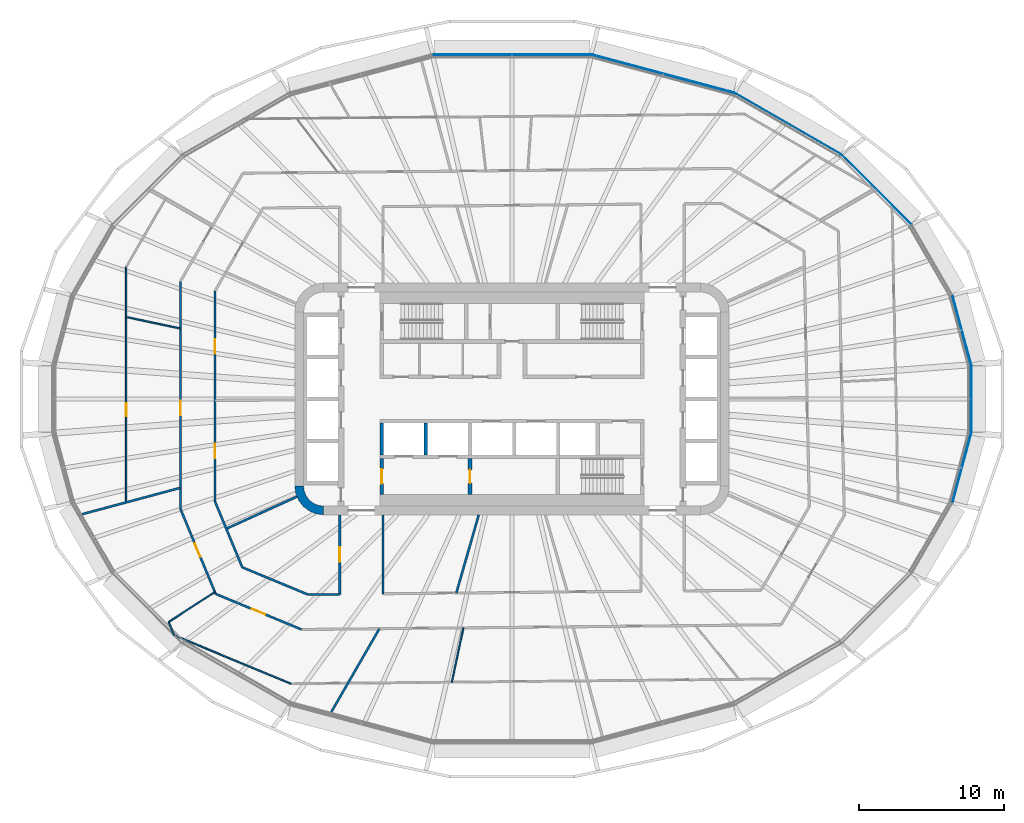
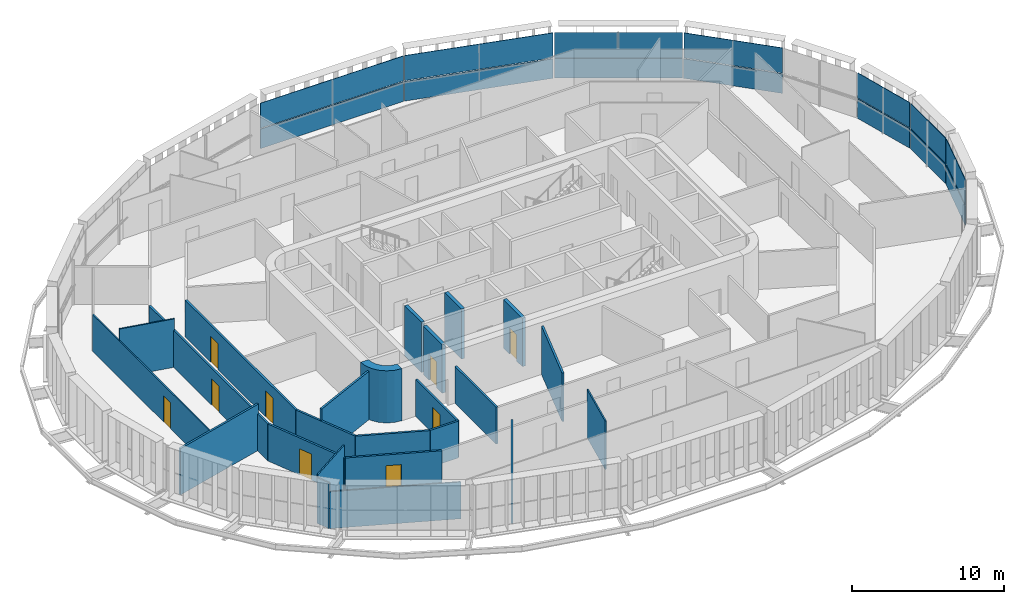
# One storey, part 14 of 26: 24 walls, 14 plates, 9 doors, 9 openings, 7 elements without a shape of their own.
"""IFC4 building model written with IfcOpenShell, lengths in metres."""

from ifc_helpers import new_model, si_unit, direction, frame, frame_2d, origin, place, context, subcontext, project, spatial, polyline, rectangle, outline, extrude, material, layer, layer_set, type_object, element, fill, aggregate, save


model = new_model("IFC4")

# Units and contexts
model_context = context("Model", 3, precision=1e-05, world=origin(), true_north=direction((0.0, 1.0)))
body_context = subcontext(model_context, "Body", "Model", "MODEL_VIEW")
ifc_project = project(units=[si_unit("LENGTHUNIT", "METRE"), si_unit("AREAUNIT", "SQUARE_METRE"), si_unit("VOLUMEUNIT", "CUBIC_METRE"), si_unit("PLANEANGLEUNIT", "RADIAN"), si_unit("MASSUNIT", "GRAM", prefix="KILO")], contexts=[model_context])

# Site, building, storey
site_placement = place(None, origin())
site = spatial("IfcSite", under=ifc_project, at=site_placement, CompositionType="ELEMENT")
building_placement = place(site_placement, origin())
building = spatial("IfcBuilding", under=site, at=building_placement, Name="Sahrelin Media Tower", CompositionType="ELEMENT")
storey_placement = place(building_placement, frame((0.0, 0.0, 88.199951171875)))
storey = spatial("IfcBuildingStorey", under=building, at=storey_placement, Name="L16", CompositionType="ELEMENT", Elevation=88.199951171875)

# Curtain wall, plate
ifc_material_1 = material(Name="Champagne anodised aluminium 6063-T6", Category="aluminium")
ifc_layer_1 = layer(ifc_material_1, 0.14990234375)
ifc_layer_set_1 = layer_set([ifc_layer_1], Name="Tower ribbon curtain wall")
curtain_wall_type = type_object("IfcCurtainWallType", Name="Tower ribbon curtain wall", PredefinedType="NOTDEFINED", material=ifc_layer_set_1)
curtain_wall_1_placement = place(storey_placement, frame((31.711181640625, 0.0, 0.0), z_axis=(0.0, 0.0, 1.0), x_axis=(1.0, 0.0, 0.0)))
curtain_wall_1 = element("IfcCurtainWall", 1, at=curtain_wall_1_placement, inside=storey, type_object=curtain_wall_type, Name="L16:CW:L16-00", PredefinedType="NOTDEFINED")
ifc_material_2 = material(Name="Clear low-iron glazing", Category="glass")
ifc_layer_2 = layer(ifc_material_2, 0.0400390625)
ifc_layer_set_2 = layer_set([ifc_layer_2], Name="Glazing panel 40 mm CW1")
plate_type_1 = type_object("IfcPlateType", Name="Glazing panel 40 mm CW1", PredefinedType="CURTAIN_PANEL", material=ifc_layer_set_2)
plate_1_placement = place(storey_placement, frame((31.731201171875, -2.316650390625, 1.630126953125), z_axis=(1.0, 0.0, 0.0), x_axis=(0.0, 1.0, 0.0)))
plate_1 = element("IfcPlate", 2, at=plate_1_placement, type_object=plate_type_1, Name="L16:CWP2:L16-00", PredefinedType="CURTAIN_PANEL", context=body_context, shape_type="SweptSolid", body=[
    extrude(outline(polyline([(0.0, 0.0), (4.63330078125, 0.0), (4.63330078125, 2.0185546875), (0.0, 2.0185546875), (0.0, 0.0)])), origin(), (0.0, 0.0, -1.0), 0.0400390625),
])

curtain_wall_2_placement = place(storey_placement, frame((31.07080078125, 4.757568359375, 0.0), z_axis=(0.0, 0.0, 1.0), x_axis=(1.0, 0.0, 0.0)))
curtain_wall_2 = element("IfcCurtainWall", 3, at=curtain_wall_2_placement, inside=storey, type_object=curtain_wall_type, Name="L16:CW:L16-01", PredefinedType="NOTDEFINED")
plate_2_placement = place(storey_placement, frame((31.7177734375, 2.420166015625, 1.630126953125), z_axis=(0.965928505831, 0.258809044708, 0.0), x_axis=(-0.258809044708, 0.965928505831, 0.0)))
plate_2 = element("IfcPlate", 4, at=plate_2_placement, type_object=plate_type_1, Name="L16:CWP2:L16-01", PredefinedType="CURTAIN_PANEL", context=body_context, shape_type="SweptSolid", body=[
    extrude(outline(polyline([(0.0, 0.0), (4.8505859375, 0.0), (4.8505859375, 2.0185546875), (0.0, 2.0185546875), (0.0, 0.0)])), origin(), (0.0, 0.0, -1.0), 0.0400390625),
])

curtain_wall_3_placement = place(storey_placement, frame((25.192138671875, 14.448486328125, 0.0), z_axis=(0.0, 0.0, 1.0), x_axis=(1.0, 0.0, 0.0)))
curtain_wall_3 = element("IfcCurtainWall", 5, at=curtain_wall_3_placement, inside=storey, type_object=curtain_wall_type, Name="L16:CW:L16-03", PredefinedType="NOTDEFINED")
plate_3_placement = place(storey_placement, frame((27.591796875, 12.077392578125, 1.630126953125), z_axis=(0.707088688516, 0.707124873394, 0.0), x_axis=(-0.707124873394, 0.707088688516, 0.0)))
plate_3 = element("IfcPlate", 6, at=plate_3_placement, type_object=plate_type_1, Name="L16:CWP2:L16-03", PredefinedType="CURTAIN_PANEL", context=body_context, shape_type="SweptSolid", body=[
    extrude(outline(polyline([(0.0, 0.0), (6.7470703125, 0.0), (6.7470703125, 2.0185546875), (0.0, 2.0185546875), (0.0, 0.0)])), origin(), (0.0, 0.0, -1.0), 0.0400390625),
])

curtain_wall_4_placement = place(storey_placement, frame((19.074951171875, 19.003662109375, 0.0), z_axis=(0.0, 0.0, 1.0), x_axis=(1.0, 0.0, 0.0)))
curtain_wall_4 = element("IfcCurtainWall", 7, at=curtain_wall_4_placement, inside=storey, type_object=curtain_wall_type, Name="L16:CW:L16-04", PredefinedType="NOTDEFINED")
plate_4_placement = place(storey_placement, frame((22.738037109375, 16.91162109375, 1.630126953125), z_axis=(0.500013857328, 0.866017403105, 0.0), x_axis=(-0.866017403105, 0.500013857328, 0.0)))
plate_4 = element("IfcPlate", 8, at=plate_4_placement, type_object=plate_type_1, Name="L16:CWP2:L16-04", PredefinedType="CURTAIN_PANEL", context=body_context, shape_type="SweptSolid", body=[
    extrude(outline(polyline([(0.0, 0.0), (8.436767578125, 0.0), (8.436767578125, 2.0185546875), (0.0, 2.0185546875), (0.0, 0.0)])), origin(), (0.0, 0.0, -1.0), 0.0400390625),
])

curtain_wall_5_placement = place(storey_placement, frame((10.436279296875, 22.4619140625, 0.0), z_axis=(0.0, 0.0, 1.0), x_axis=(1.0, 0.0, 0.0)))
curtain_wall_5 = element("IfcCurtainWall", 9, at=curtain_wall_5_placement, inside=storey, type_object=curtain_wall_type, Name="L16:CW:L16-05", PredefinedType="NOTDEFINED")
plate_5_placement = place(storey_placement, frame((15.335205078125, 21.170166015625, 1.630126953125), z_axis=(0.258817176465, 0.965926326987, 0.0), x_axis=(-0.965926326987, 0.258817176465, 0.0)))
plate_5 = element("IfcPlate", 10, at=plate_5_placement, type_object=plate_type_1, Name="L16:CWP2:L16-05", PredefinedType="CURTAIN_PANEL", context=body_context, shape_type="SweptSolid", body=[
    extrude(outline(polyline([(0.0, 0.0), (10.1328125, 0.0), (10.1328125, 2.0185546875), (0.0, 2.0185546875), (0.0, 0.0)])), origin(), (0.0, 0.0, -1.0), 0.0400390625),
])

curtain_wall_6_placement = place(storey_placement, frame((0.0, 23.786376953125, 0.0), z_axis=(0.0, 0.0, 1.0), x_axis=(1.0, 0.0, 0.0)))
curtain_wall_6 = element("IfcCurtainWall", 11, at=curtain_wall_6_placement, inside=storey, type_object=curtain_wall_type, Name="L16:CW:L16-06", PredefinedType="NOTDEFINED")
plate_6_placement = place(storey_placement, frame((5.444091796875, 23.806396484375, 1.630126953125), z_axis=(0.0, 1.0, 0.0), x_axis=(-1.0, 0.0, 0.0)))
plate_6 = element("IfcPlate", 12, at=plate_6_placement, type_object=plate_type_1, Name="L16:CWP2:L16-06", PredefinedType="CURTAIN_PANEL", context=body_context, shape_type="SweptSolid", body=[
    extrude(outline(polyline([(0.0, 0.0), (10.88818359375, 0.0), (10.88818359375, 2.0185546875), (0.0, 2.0185546875), (0.0, 0.0)])), origin(), (0.0, 0.0, -1.0), 0.0400390625),
])

curtain_wall_7_placement = place(storey_placement, frame((31.07080078125, -4.757568359375, 0.0), z_axis=(0.0, 0.0, 1.0), x_axis=(1.0, 0.0, 0.0)))
curtain_wall_7 = element("IfcCurtainWall", 13, at=curtain_wall_7_placement, inside=storey, type_object=curtain_wall_type, Name="L16:CW:L16-23", PredefinedType="NOTDEFINED")
plate_7_placement = place(storey_placement, frame((30.46240234375, -7.10546875, 1.630126953125), z_axis=(0.965928505831, -0.258809044708, 0.0), x_axis=(0.258809044708, 0.965928505831, 0.0)))
plate_7 = element("IfcPlate", 14, at=plate_7_placement, type_object=plate_type_1, Name="L16:CWP2:L16-23", PredefinedType="CURTAIN_PANEL", context=body_context, shape_type="SweptSolid", body=[
    extrude(outline(polyline([(0.0, 0.0), (4.8505859375, 0.0), (4.8505859375, 2.0185546875), (0.0, 2.0185546875), (0.0, 0.0)])), origin(), (0.0, 0.0, -1.0), 0.0400390625),
])

# Plate
ifc_material_3 = material(Name="Insulated spandrel panel")
ifc_layer_3 = layer(ifc_material_3, 0.06005859375)
ifc_layer_set_3 = layer_set([ifc_layer_3], Name="Spandrel panel 60 mm CW1")
plate_type_2 = type_object("IfcPlateType", Name="Spandrel panel 60 mm CW1", PredefinedType="SHEET", material=ifc_layer_set_3)
plate_8_placement = place(storey_placement, frame((31.731201171875, -2.316650390625, 0.0), z_axis=(1.0, 0.0, 0.0), x_axis=(0.0, 1.0, 0.0)))
plate_8 = element("IfcPlate", 15, at=plate_8_placement, type_object=plate_type_2, Name="L16:CWP1:L16-00", PredefinedType="SHEET", context=body_context, shape_type="SweptSolid", body=[
    extrude(outline(polyline([(0.0, 0.0), (4.63330078125, 0.0), (4.63330078125, 1.570068359375), (0.0, 1.570068359375), (0.0, 0.0)])), origin(), (0.0, 0.0, -1.0), 0.06005859375),
])

aggregate(curtain_wall_1, [plate_8, plate_1])

plate_9_placement = place(storey_placement, frame((31.7177734375, 2.420166015625, 0.0), z_axis=(0.965928505831, 0.258809044708, 0.0), x_axis=(-0.258809044708, 0.965928505831, 0.0)))
plate_9 = element("IfcPlate", 16, at=plate_9_placement, type_object=plate_type_2, Name="L16:CWP1:L16-01", PredefinedType="SHEET", context=body_context, shape_type="SweptSolid", body=[
    extrude(outline(polyline([(0.0, 0.0), (4.8505859375, 0.0), (4.8505859375, 1.570068359375), (0.0, 1.570068359375), (0.0, 0.0)])), origin(), (0.0, 0.0, -1.0), 0.06005859375),
])

aggregate(curtain_wall_2, [plate_9, plate_2])

plate_10_placement = place(storey_placement, frame((27.591796875, 12.077392578125, 0.0), z_axis=(0.707088688516, 0.707124873394, 0.0), x_axis=(-0.707124873394, 0.707088688516, 0.0)))
plate_10 = element("IfcPlate", 17, at=plate_10_placement, type_object=plate_type_2, Name="L16:CWP1:L16-03", PredefinedType="SHEET", context=body_context, shape_type="SweptSolid", body=[
    extrude(outline(polyline([(0.0, 0.0), (6.7470703125, 0.0), (6.7470703125, 1.570068359375), (0.0, 1.570068359375), (0.0, 0.0)])), origin(), (0.0, 0.0, -1.0), 0.06005859375),
])

aggregate(curtain_wall_3, [plate_10, plate_3])

plate_11_placement = place(storey_placement, frame((22.738037109375, 16.91162109375, 0.0), z_axis=(0.500013857328, 0.866017403105, 0.0), x_axis=(-0.866017403105, 0.500013857328, 0.0)))
plate_11 = element("IfcPlate", 18, at=plate_11_placement, type_object=plate_type_2, Name="L16:CWP1:L16-04", PredefinedType="SHEET", context=body_context, shape_type="SweptSolid", body=[
    extrude(outline(polyline([(0.0, 0.0), (8.436767578125, 0.0), (8.436767578125, 1.570068359375), (0.0, 1.570068359375), (0.0, 0.0)])), origin(), (0.0, 0.0, -1.0), 0.06005859375),
])

aggregate(curtain_wall_4, [plate_11, plate_4])

plate_12_placement = place(storey_placement, frame((15.335205078125, 21.170166015625, 0.0), z_axis=(0.258817176465, 0.965926326987, 0.0), x_axis=(-0.965926326987, 0.258817176465, 0.0)))
plate_12 = element("IfcPlate", 19, at=plate_12_placement, type_object=plate_type_2, Name="L16:CWP1:L16-05", PredefinedType="SHEET", context=body_context, shape_type="SweptSolid", body=[
    extrude(outline(polyline([(0.0, 0.0), (10.1328125, 0.0), (10.1328125, 1.570068359375), (0.0, 1.570068359375), (0.0, 0.0)])), origin(), (0.0, 0.0, -1.0), 0.06005859375),
])

aggregate(curtain_wall_5, [plate_12, plate_5])

plate_13_placement = place(storey_placement, frame((5.444091796875, 23.806396484375, 0.0), z_axis=(0.0, 1.0, 0.0), x_axis=(-1.0, 0.0, 0.0)))
plate_13 = element("IfcPlate", 20, at=plate_13_placement, type_object=plate_type_2, Name="L16:CWP1:L16-06", PredefinedType="SHEET", context=body_context, shape_type="SweptSolid", body=[
    extrude(outline(polyline([(0.0, 0.0), (10.88818359375, 0.0), (10.88818359375, 1.570068359375), (0.0, 1.570068359375), (0.0, 0.0)])), origin(), (0.0, 0.0, -1.0), 0.06005859375),
])

aggregate(curtain_wall_6, [plate_13, plate_6])

plate_14_placement = place(storey_placement, frame((30.46240234375, -7.10546875, 0.0), z_axis=(0.965928505831, -0.258809044708, 0.0), x_axis=(0.258809044708, 0.965928505831, 0.0)))
plate_14 = element("IfcPlate", 21, at=plate_14_placement, type_object=plate_type_2, Name="L16:CWP1:L16-23", PredefinedType="SHEET", context=body_context, shape_type="SweptSolid", body=[
    extrude(outline(polyline([(0.0, 0.0), (4.8505859375, 0.0), (4.8505859375, 1.570068359375), (0.0, 1.570068359375), (0.0, 0.0)])), origin(), (0.0, 0.0, -1.0), 0.06005859375),
])

aggregate(curtain_wall_7, [plate_14, plate_7])

# Wall
ifc_material_4 = material(Name="Concrete C60/75", Category="concrete")
ifc_layer_4 = layer(ifc_material_4, 0.60009765625)
ifc_layer_set_4 = layer_set([ifc_layer_4], Name="Core wall 600")
wall_type_1 = type_object("IfcWallType", Name="Core wall 600", PredefinedType="SHEAR", material=ifc_layer_set_4)
wall_1_placement = place(storey_placement, origin())
element("IfcWall", 22, at=wall_1_placement, inside=storey, type_object=wall_type_1, Name="Core wall corner SW L16", PredefinedType="SHEAR", context=body_context, shape_type="SweptSolid", body=[
    extrude(outline(polyline([(-13.0, -8.0), (-13.0, -7.394775390625), (-13.361083984375, -7.347412109375), (-13.697509765625, -7.2080078125), (-13.986328125, -6.986328125), (-14.2080078125, -6.697509765625), (-14.347412109375, -6.361083984375), (-14.394775390625, -6.0), (-15.0, -6.0), (-14.931884765625, -6.517578125), (-14.732177734375, -7.0), (-14.414306640625, -7.414306640625), (-14.0, -7.732177734375), (-13.517578125, -7.931884765625), (-13.0, -8.0)])), origin(), (0.0, 0.0, 1.0), 4.199951171875),
])

# Wall, opening, door
ifc_material_5 = material(Name="Fire-rated gypsum board partition")
ifc_layer_5 = layer(ifc_material_5, 0.14990234375)
ifc_layer_set_5 = layer_set([ifc_layer_5], Name="Fire-rated partition 150")
wall_type_2 = type_object("IfcWallType", Name="Fire-rated partition 150", PredefinedType="PARTITIONING", material=ifc_layer_set_5)
wall_2_placement = place(storey_placement, frame((-22.89990234375, -7.572021484375, 0.0), z_axis=(0.0, 0.0, 1.0), x_axis=(0.382367581622, -0.924010298928, 0.0)))
wall_2 = element("IfcWall", 23, at=wall_2_placement, inside=storey, type_object=wall_type_2, Name="Wall", PredefinedType="PARTITIONING", context=body_context, shape_type="SweptSolid", body=[
    extrude(rectangle(XDim=6.37353515625, YDim=0.14990234375, at=frame_2d((3.186767578125, 0.0))), origin(), (0.0, 0.0, 1.0), 2.97705078125),
])
opening_1_placement = place(wall_2_placement, frame((2.599853515625, 0.0, 0.0)))
opening_1 = element("IfcOpeningElement", 24, at=opening_1_placement, cuts=wall_2, Name="Opening L16-D53", PredefinedType="OPENING", context=body_context, shape_type="SweptSolid", body=[
    extrude(rectangle(XDim=1.0, YDim=2.10009765625, at=frame_2d((0.5, 1.050048828125))), frame((0.0, 0.074951171875, 0.0), z_axis=(0.0, -1.0, 0.0), x_axis=(1.0, 0.0, 0.0)), (0.0, 0.0, 1.0), 0.14990234375),
])
ifc_material_6 = material(Name="Steel fire door leaf", Category="steel")
door_type_1 = type_object("IfcDoorType", Name="Fire door 1000 x 2100 EI 60", OperationType="NOTDEFINED", PredefinedType="DOOR", material=ifc_material_6)
door_1_placement = place(opening_1_placement, origin())
door_1 = element("IfcDoor", 25, at=door_1_placement, inside=storey, type_object=door_type_1, Name="Fire door", OperationType="SINGLE_SWING_LEFT", OverallHeight=2.10009765625, OverallWidth=1.0, PredefinedType="DOOR", context=body_context, shape_type="SweptSolid", body=[
    extrude(rectangle(XDim=1.0, YDim=2.10009765625, at=frame_2d((0.5, 1.050048828125))), frame((0.0, 0.02490234375, 0.0), z_axis=(0.0, -1.0, 0.0), x_axis=(1.0, 0.0, 0.0)), (0.0, 0.0, 1.0), 0.050048828125),
])
fill(opening_1, door_1)

# Wall
wall_3_placement = place(storey_placement, frame((-20.5, -7.094970703125, 0.0), z_axis=(0.0, 0.0, 1.0), x_axis=(0.382364990163, -0.924011371303, 0.0)))
element("IfcWall", 26, at=wall_3_placement, inside=storey, type_object=wall_type_2, Name="Wall", PredefinedType="PARTITIONING", context=body_context, shape_type="SweptSolid", body=[
    extrude(rectangle(XDim=4.90185546875, YDim=0.14990234375, at=frame_2d((2.450927734375, 0.0))), origin(), (0.0, 0.0, 1.0), 2.97705078125),
])

# Wall, opening, door
wall_4_placement = place(storey_placement, frame((-20.4599609375, -13.4599609375, 0.0), z_axis=(0.0, 0.0, 1.0), x_axis=(0.923801547606, -0.382871650349, 0.0)))
wall_4 = element("IfcWall", 27, at=wall_4_placement, inside=storey, type_object=wall_type_2, Name="Wall", PredefinedType="PARTITIONING", context=body_context, shape_type="SweptSolid", body=[
    extrude(rectangle(XDim=6.414794921875, YDim=0.14990234375, at=frame_2d((3.20751953125, 0.0))), origin(), (0.0, 0.0, 1.0), 2.96826171875),
])
opening_2_placement = place(wall_4_placement, frame((2.70703125, 0.0, 0.0)))
opening_2 = element("IfcOpeningElement", 28, at=opening_2_placement, cuts=wall_4, Name="Opening L16-D54", PredefinedType="OPENING", context=body_context, shape_type="SweptSolid", body=[
    extrude(rectangle(XDim=1.0, YDim=2.10009765625, at=frame_2d((0.5, 1.050048828125))), frame((0.0, 0.074951171875, 0.0), z_axis=(0.0, -1.0, 0.0), x_axis=(1.0, 0.0, 0.0)), (0.0, 0.0, 1.0), 0.14990234375),
])
door_2_placement = place(opening_2_placement, origin())
door_2 = element("IfcDoor", 29, at=door_2_placement, inside=storey, type_object=door_type_1, Name="Fire door", OperationType="SINGLE_SWING_LEFT", OverallHeight=2.10009765625, OverallWidth=1.0, PredefinedType="DOOR", context=body_context, shape_type="SweptSolid", body=[
    extrude(rectangle(XDim=1.0, YDim=2.10009765625, at=frame_2d((0.5, 1.050048828125))), frame((0.0, 0.02490234375, 0.0), z_axis=(0.0, -1.0, 0.0), x_axis=(1.0, 0.0, 0.0)), (0.0, 0.0, 1.0), 0.050048828125),
])
fill(opening_2, door_2)

# Walls
wall_5_placement = place(storey_placement, frame((-18.623046875, -11.623046875, 0.0), z_axis=(0.0, 0.0, 1.0), x_axis=(0.923791670587, -0.38289548098, 0.0)))
element("IfcWall", 30, at=wall_5_placement, inside=storey, type_object=wall_type_2, Name="Wall", PredefinedType="PARTITIONING", context=body_context, shape_type="SweptSolid", body=[
    extrude(rectangle(XDim=4.9306640625, YDim=0.14990234375, at=frame_2d((2.46533203125, 0.0))), origin(), (0.0, 0.0, 1.0), 2.96826171875),
])
wall_6_placement = place(storey_placement, frame((-14.068115234375, -13.510986328125, 0.0), z_axis=(0.0, 0.0, 1.0), x_axis=(0.999950911515, 0.009908307647, 0.0)))
element("IfcWall", 31, at=wall_6_placement, inside=storey, type_object=wall_type_2, Name="Wall", PredefinedType="PARTITIONING", context=body_context, shape_type="SweptSolid", body=[
    extrude(rectangle(XDim=2.168212890625, YDim=0.14990234375, at=frame_2d((1.083984375, 0.0))), origin(), (0.0, 0.0, 1.0), 2.96826171875),
])
wall_7_placement = place(storey_placement, frame((-29.927978515625, -8.01904296875, 0.0), z_axis=(0.0, 0.0, 1.0), x_axis=(0.965929629594, 0.258804850559, 0.0)))
element("IfcWall", 32, at=wall_7_placement, inside=storey, type_object=wall_type_2, Name="Wall", PredefinedType="PARTITIONING", context=body_context, shape_type="SweptSolid", body=[
    extrude(rectangle(XDim=7.27587890625, YDim=0.14990234375, at=frame_2d((3.637939453125, 0.0))), origin(), (0.0, 0.0, 1.0), 3.7265625),
])
wall_8_placement = place(storey_placement, frame((-19.72802734375, -8.9580078125, 0.0), z_axis=(0.0, 0.0, 1.0), x_axis=(0.910629511797, 0.413223779863, 0.0)))
element("IfcWall", 33, at=wall_8_placement, inside=storey, type_object=wall_type_2, Name="Wall", PredefinedType="PARTITIONING", context=body_context, shape_type="SweptSolid", body=[
    extrude(rectangle(XDim=5.3681640625, YDim=0.14990234375, at=frame_2d((2.68408203125, 0.0))), origin(), (0.0, 0.0, 1.0), 3.900146484375),
])
wall_9_placement = place(storey_placement, frame((-12.62890625, -21.8740234375, 0.0), z_axis=(0.0, 0.0, 1.0), x_axis=(0.499986326517, 0.86603329803, 0.0)))
element("IfcWall", 34, at=wall_9_placement, inside=storey, type_object=wall_type_2, Name="Wall", PredefinedType="PARTITIONING", context=body_context, shape_type="SweptSolid", body=[
    extrude(rectangle(XDim=6.941162109375, YDim=0.14990234375, at=frame_2d((3.470703125, 0.0))), origin(), (0.0, 0.0, 1.0), 3.501708984375),
])
wall_10_placement = place(storey_placement, frame((-3.845947265625, -13.39892578125, 0.0), z_axis=(0.0, 0.0, 1.0), x_axis=(0.275914969745, 0.961182048038, 0.0)))
element("IfcWall", 35, at=wall_10_placement, inside=storey, type_object=wall_type_2, Name="Wall", PredefinedType="PARTITIONING", context=body_context, shape_type="SweptSolid", body=[
    extrude(rectangle(XDim=5.616943359375, YDim=0.14990234375, at=frame_2d((2.80859375, 0.0))), origin(), (0.0, 0.0, 1.0), 3.900146484375),
])
wall_11_placement = place(storey_placement, frame((-8.89990234375, -13.448974609375, 0.0), z_axis=(0.0, 0.0, 1.0), x_axis=(0.0, 1.0, 0.0)))
element("IfcWall", 36, at=wall_11_placement, inside=storey, type_object=wall_type_2, Name="Wall", PredefinedType="PARTITIONING", context=body_context, shape_type="SweptSolid", body=[
    extrude(rectangle(XDim=5.448974609375, YDim=0.14990234375, at=frame_2d((2.724609375, 0.0))), origin(), (0.0, 0.0, 1.0), 2.96826171875),
])

# Wall, opening, door
wall_12_placement = place(storey_placement, frame((-11.89990234375, -13.489990234375, 0.0), z_axis=(0.0, 0.0, 1.0), x_axis=(0.0, 1.0, 0.0)))
wall_12 = element("IfcWall", 37, at=wall_12_placement, inside=storey, type_object=wall_type_2, Name="Wall", PredefinedType="PARTITIONING", context=body_context, shape_type="SweptSolid", body=[
    extrude(rectangle(XDim=5.489990234375, YDim=0.14990234375, at=frame_2d((2.7451171875, 0.0))), origin(), (0.0, 0.0, 1.0), 2.96826171875),
])
opening_3_placement = place(wall_12_placement, frame((2.2451171875, 0.0, 0.0)))
opening_3 = element("IfcOpeningElement", 38, at=opening_3_placement, cuts=wall_12, Name="Opening L16-D34", PredefinedType="OPENING", context=body_context, shape_type="SweptSolid", body=[
    extrude(rectangle(XDim=1.0, YDim=2.10009765625, at=frame_2d((0.5, 1.050048828125))), frame((0.0, 0.074951171875, 0.0), z_axis=(0.0, -1.0, 0.0), x_axis=(1.0, 0.0, 0.0)), (0.0, 0.0, 1.0), 0.14990234375),
])
door_3_placement = place(opening_3_placement, origin())
door_3 = element("IfcDoor", 39, at=door_3_placement, inside=storey, type_object=door_type_1, Name="Fire door", OperationType="SINGLE_SWING_RIGHT", OverallHeight=2.10009765625, OverallWidth=1.0, PredefinedType="DOOR", context=body_context, shape_type="SweptSolid", body=[
    extrude(rectangle(XDim=1.0, YDim=2.10009765625, at=frame_2d((0.5, 1.050048828125))), frame((0.0, 0.02490234375, 0.0), z_axis=(0.0, -1.0, 0.0), x_axis=(1.0, 0.0, 0.0)), (0.0, 0.0, 1.0), 0.050048828125),
])
fill(opening_3, door_3)

# Wall, openings, doors
wall_13_placement = place(storey_placement, frame((-20.5, -7.094970703125, 0.0), z_axis=(0.0, 0.0, 1.0), x_axis=(0.0, 1.0, 0.0)))
wall_13 = element("IfcWall", 40, at=wall_13_placement, inside=storey, type_object=wall_type_2, Name="Wall", PredefinedType="PARTITIONING", context=body_context, shape_type="SweptSolid", body=[
    extrude(rectangle(XDim=14.569091796875, YDim=0.14990234375, at=frame_2d((7.28466796875, 0.0))), origin(), (0.0, 0.0, 1.0), 2.96826171875),
])
opening_4_placement = place(wall_13_placement, frame((10.234375, 0.0, 0.0)))
opening_4 = element("IfcOpeningElement", 41, at=opening_4_placement, cuts=wall_13, Name="Opening L16-D32", PredefinedType="OPENING", context=body_context, shape_type="SweptSolid", body=[
    extrude(rectangle(XDim=1.0, YDim=2.10009765625, at=frame_2d((0.5, 1.050048828125))), frame((0.0, 0.074951171875, 0.0), z_axis=(0.0, -1.0, 0.0), x_axis=(1.0, 0.0, 0.0)), (0.0, 0.0, 1.0), 0.14990234375),
])
opening_5_placement = place(wall_13_placement, frame((3.00048828125, 0.0, 0.0)))
opening_5 = element("IfcOpeningElement", 42, at=opening_5_placement, cuts=wall_13, Name="Opening L16-D33", PredefinedType="OPENING", context=body_context, shape_type="SweptSolid", body=[
    extrude(rectangle(XDim=1.0, YDim=2.10009765625, at=frame_2d((0.5, 1.050048828125))), frame((0.0, 0.074951171875, 0.0), z_axis=(0.0, -1.0, 0.0), x_axis=(1.0, 0.0, 0.0)), (0.0, 0.0, 1.0), 0.14990234375),
])
door_4_placement = place(opening_4_placement, origin())
door_4 = element("IfcDoor", 43, at=door_4_placement, inside=storey, type_object=door_type_1, Name="Fire door", OperationType="SINGLE_SWING_LEFT", OverallHeight=2.10009765625, OverallWidth=1.0, PredefinedType="DOOR", context=body_context, shape_type="SweptSolid", body=[
    extrude(rectangle(XDim=1.0, YDim=2.10009765625, at=frame_2d((0.5, 1.050048828125))), frame((0.0, 0.02490234375, 0.0), z_axis=(0.0, -1.0, 0.0), x_axis=(1.0, 0.0, 0.0)), (0.0, 0.0, 1.0), 0.050048828125),
])
fill(opening_4, door_4)
door_5_placement = place(opening_5_placement, origin())
door_5 = element("IfcDoor", 44, at=door_5_placement, inside=storey, type_object=door_type_1, Name="Fire door", OperationType="SINGLE_SWING_LEFT", OverallHeight=2.10009765625, OverallWidth=1.0, PredefinedType="DOOR", context=body_context, shape_type="SweptSolid", body=[
    extrude(rectangle(XDim=1.0, YDim=2.10009765625, at=frame_2d((0.5, 1.050048828125))), frame((0.0, 0.02490234375, 0.0), z_axis=(0.0, -1.0, 0.0), x_axis=(1.0, 0.0, 0.0)), (0.0, 0.0, 1.0), 0.050048828125),
])
fill(opening_5, door_5)

# Wall, opening, door
wall_14_placement = place(storey_placement, frame((-22.89990234375, -7.572021484375, 0.0), z_axis=(0.0, 0.0, 1.0), x_axis=(0.0, 1.0, 0.0)))
wall_14 = element("IfcWall", 45, at=wall_14_placement, inside=storey, type_object=wall_type_2, Name="Wall", PredefinedType="PARTITIONING", context=body_context, shape_type="SweptSolid", body=[
    extrude(rectangle(XDim=15.68896484375, YDim=0.14990234375, at=frame_2d((7.844482421875, 0.0))), origin(), (0.0, 0.0, 1.0), 2.96826171875),
])
opening_6_placement = place(wall_14_placement, frame((6.4375, 0.0, 0.0)))
opening_6 = element("IfcOpeningElement", 46, at=opening_6_placement, cuts=wall_14, Name="Opening L16-D51", PredefinedType="OPENING", context=body_context, shape_type="SweptSolid", body=[
    extrude(rectangle(XDim=1.0, YDim=2.10009765625, at=frame_2d((0.5, 1.050048828125))), frame((0.0, 0.074951171875, 0.0), z_axis=(0.0, -1.0, 0.0), x_axis=(1.0, 0.0, 0.0)), (0.0, 0.0, 1.0), 0.14990234375),
])
door_6_placement = place(opening_6_placement, origin())
door_6 = element("IfcDoor", 47, at=door_6_placement, inside=storey, type_object=door_type_1, Name="Fire door", OperationType="SINGLE_SWING_RIGHT", OverallHeight=2.10009765625, OverallWidth=1.0, PredefinedType="DOOR", context=body_context, shape_type="SweptSolid", body=[
    extrude(rectangle(XDim=1.0, YDim=2.10009765625, at=frame_2d((0.5, 1.050048828125))), frame((0.0, 0.02490234375, 0.0), z_axis=(0.0, -1.0, 0.0), x_axis=(1.0, 0.0, 0.0)), (0.0, 0.0, 1.0), 0.050048828125),
])
fill(opening_6, door_6)

ifc_layer_6 = layer(ifc_material_5, 0.25)
ifc_layer_set_6 = layer_set([ifc_layer_6], Name="Firefighting lobby wall 250")
wall_type_3 = type_object("IfcWallType", Name="Firefighting lobby wall 250", PredefinedType="PARTITIONING", material=ifc_layer_set_6)
wall_15_placement = place(storey_placement, frame((-9.0, -6.60009765625, 0.0), z_axis=(0.0, 0.0, 1.0), x_axis=(0.0, 1.0, 0.0)))
wall_15 = element("IfcWall", 48, at=wall_15_placement, inside=storey, type_object=wall_type_3, Name="Core wall", PredefinedType="PARTITIONING", context=body_context, shape_type="SweptSolid", body=[
    extrude(rectangle(XDim=2.5, YDim=0.25, at=frame_2d((1.25, 0.0))), origin(), (0.0, 0.0, 1.0), 3.900146484375),
])
opening_7_placement = place(wall_15_placement, frame((0.75, 0.0, 0.0)))
opening_7 = element("IfcOpeningElement", 49, at=opening_7_placement, cuts=wall_15, Name="Opening L16-D04", PredefinedType="OPENING", context=body_context, shape_type="SweptSolid", body=[
    extrude(rectangle(XDim=1.0, YDim=2.10009765625, at=frame_2d((0.5, 1.050048828125))), frame((0.0, 0.125, 0.0), z_axis=(0.0, -1.0, 0.0), x_axis=(1.0, 0.0, 0.0)), (0.0, 0.0, 1.0), 0.25),
])
door_type_2 = type_object("IfcDoorType", Name="Firefighting lobby door 1000 x 2100 EI 120", OperationType="NOTDEFINED", PredefinedType="DOOR", material=ifc_material_6)
door_7_placement = place(opening_7_placement, origin())
door_7 = element("IfcDoor", 50, at=door_7_placement, inside=storey, type_object=door_type_2, Name="Firefighting lobby door", OperationType="SINGLE_SWING_LEFT", OverallHeight=2.10009765625, OverallWidth=1.0, PredefinedType="DOOR", context=body_context, shape_type="SweptSolid", body=[
    extrude(rectangle(XDim=1.0, YDim=2.10009765625, at=frame_2d((0.5, 1.050048828125))), frame((0.0, 0.02490234375, 0.0), z_axis=(0.0, -1.0, 0.0), x_axis=(1.0, 0.0, 0.0)), (0.0, 0.0, 1.0), 0.050048828125),
])
fill(opening_7, door_7)

wall_16_placement = place(storey_placement, frame((-2.89990234375, -6.60009765625, 0.0), z_axis=(0.0, 0.0, 1.0), x_axis=(0.0, 1.0, 0.0)))
wall_16 = element("IfcWall", 51, at=wall_16_placement, inside=storey, type_object=wall_type_3, Name="Core wall", PredefinedType="PARTITIONING", context=body_context, shape_type="SweptSolid", body=[
    extrude(rectangle(XDim=2.5, YDim=0.25, at=frame_2d((1.25, 0.0))), origin(), (0.0, 0.0, 1.0), 3.900146484375),
])
opening_8_placement = place(wall_16_placement, frame((0.800048828125, 0.0, 0.0)))
opening_8 = element("IfcOpeningElement", 52, at=opening_8_placement, cuts=wall_16, Name="Opening L16-D05", PredefinedType="OPENING", context=body_context, shape_type="SweptSolid", body=[
    extrude(rectangle(XDim=0.89990234375, YDim=2.10009765625, at=frame_2d((0.449951171875, 1.050048828125))), frame((0.0, 0.125, 0.0), z_axis=(0.0, -1.0, 0.0), x_axis=(1.0, 0.0, 0.0)), (0.0, 0.0, 1.0), 0.25),
])
door_type_3 = type_object("IfcDoorType", Name="Firefighting lobby door 900 x 2100 EI 120", OperationType="NOTDEFINED", PredefinedType="DOOR", material=ifc_material_6)
door_8_placement = place(opening_8_placement, origin())
door_8 = element("IfcDoor", 53, at=door_8_placement, inside=storey, type_object=door_type_3, Name="Riser door", OperationType="SINGLE_SWING_RIGHT", OverallHeight=2.10009765625, OverallWidth=0.89990234375, PredefinedType="DOOR", context=body_context, shape_type="SweptSolid", body=[
    extrude(rectangle(XDim=0.89990234375, YDim=2.10009765625, at=frame_2d((0.449951171875, 1.050048828125))), frame((0.0, 0.02490234375, 0.0), z_axis=(0.0, -1.0, 0.0), x_axis=(1.0, 0.0, 0.0)), (0.0, 0.0, 1.0), 0.050048828125),
])
fill(opening_8, door_8)

# Walls
ifc_layer_7 = layer(ifc_material_4, 0.25)
ifc_layer_set_7 = layer_set([ifc_layer_7], Name="Lift shaft wall 250")
wall_type_4 = type_object("IfcWallType", Name="Lift shaft wall 250", PredefinedType="SOLIDWALL", material=ifc_layer_set_7)
for number, where, z_axis, x_axis, name in (
    (54, (-9.0, -3.85009765625, 0.0), (0.0, 0.0, 1.0), (0.0, 1.0, 0.0), "Lift shaft wall"),
    (55, (-5.949951171875, -3.85009765625, 0.0), (0.0, 0.0, 1.0), (0.0, 1.0, 0.0), "Lift shaft wall"),
):
    element("IfcWall", number, at=place(storey_placement, frame(where, z_axis=z_axis, x_axis=x_axis)), inside=storey, type_object=wall_type_4, Name=name, PredefinedType="SOLIDWALL", context=body_context, shape_type="SweptSolid", body=[
        extrude(rectangle(XDim=2.2001953125, YDim=0.25, at=frame_2d((1.10009765625, 0.0))), origin(), (0.0, 0.0, 1.0), 4.050048828125),
    ])
ifc_material_7 = material(Name="Gypsum board partition")
ifc_layer_8 = layer(ifc_material_7, 0.10009765625)
ifc_layer_set_8 = layer_set([ifc_layer_8], Name="Partition 100")
wall_type_5 = type_object("IfcWallType", Name="Partition 100", PredefinedType="PARTITIONING", material=ifc_layer_set_8)
wall_17_placement = place(storey_placement, frame((-23.7060546875, -15.39501953125, 0.0), z_axis=(0.0, 0.0, 1.0), x_axis=(0.382734348683, -0.923858440638, 0.0)))
element("IfcWall", 56, at=wall_17_placement, inside=storey, type_object=wall_type_5, Name="Wall", PredefinedType="PARTITIONING", context=body_context, shape_type="SweptSolid", body=[
    extrude(rectangle(XDim=0.995849609375, YDim=0.10009765625, at=frame_2d((0.498046875, 0.0))), origin(), (0.0, 0.0, 1.0), 3.675048828125),
])
wall_18_placement = place(storey_placement, frame((-23.31494140625, -16.324951171875, 0.0), z_axis=(0.0, 0.0, 1.0), x_axis=(0.923811686722, -0.382847185541, 0.0)))
element("IfcWall", 57, at=wall_18_placement, inside=storey, type_object=wall_type_5, Name="Wall", PredefinedType="PARTITIONING", context=body_context, shape_type="SweptSolid", body=[
    extrude(rectangle(XDim=8.71923828125, YDim=0.10009765625, at=frame_2d((4.359619140625, 0.0))), origin(), (0.0, 0.0, 1.0), 2.96826171875),
])
wall_19_placement = place(storey_placement, frame((-26.639892578125, 5.662109375, 0.0), z_axis=(0.0, 0.0, 1.0), x_axis=(0.978136613381, -0.207963375533, 0.0)))
element("IfcWall", 58, at=wall_19_placement, inside=storey, type_object=wall_type_5, Name="Wall", PredefinedType="PARTITIONING", context=body_context, shape_type="SweptSolid", body=[
    extrude(rectangle(XDim=3.823486328125, YDim=0.10009765625, at=frame_2d((1.91162109375, 0.0))), origin(), (0.0, 0.0, 1.0), 3.900146484375),
])
wall_20_placement = place(storey_placement, frame((-23.7060546875, -15.39501953125, 0.0), z_axis=(0.0, 0.0, 1.0), x_axis=(0.838733884708, 0.544541523341, 0.0)))
element("IfcWall", 59, at=wall_20_placement, inside=storey, type_object=wall_type_5, Name="Wall", PredefinedType="PARTITIONING", context=body_context, shape_type="SweptSolid", body=[
    extrude(rectangle(XDim=3.80322265625, YDim=0.10009765625, at=frame_2d((1.901611328125, 0.0))), origin(), (0.0, 0.0, 1.0), 3.900146484375),
])
wall_21_placement = place(storey_placement, frame((-4.156005859375, -19.552978515625, 0.0), z_axis=(0.0, 0.0, 1.0), x_axis=(0.208023345905, 0.978123861052, 0.0)))
element("IfcWall", 60, at=wall_21_placement, inside=storey, type_object=wall_type_5, Name="Wall", PredefinedType="PARTITIONING", context=body_context, shape_type="SweptSolid", body=[
    extrude(rectangle(XDim=3.831787109375, YDim=0.10009765625, at=frame_2d((1.916015625, 0.0))), origin(), (0.0, 0.0, 1.0), 3.900146484375),
])

# Wall, opening, door
wall_22_placement = place(storey_placement, frame((-26.639892578125, -7.137939453125, 0.0), z_axis=(0.0, 0.0, 1.0), x_axis=(0.0, 1.0, 0.0)))
wall_22 = element("IfcWall", 61, at=wall_22_placement, inside=storey, type_object=wall_type_5, Name="Wall", PredefinedType="PARTITIONING", context=body_context, shape_type="SweptSolid", body=[
    extrude(rectangle(XDim=16.2568359375, YDim=0.10009765625, at=frame_2d((8.12841796875, 0.0))), origin(), (0.0, 0.0, 1.0), 2.96826171875),
])
opening_9_placement = place(wall_22_placement, frame((5.949951171875, 0.0, 0.0)))
opening_9 = element("IfcOpeningElement", 62, at=opening_9_placement, cuts=wall_22, Name="Opening L16-D52", PredefinedType="OPENING", context=body_context, shape_type="SweptSolid", body=[
    extrude(rectangle(XDim=0.89990234375, YDim=2.10009765625, at=frame_2d((0.449951171875, 1.050048828125))), frame((0.0, 0.050048828125, 0.0), z_axis=(0.0, -1.0, 0.0), x_axis=(1.0, 0.0, 0.0)), (0.0, 0.0, 1.0), 0.10009765625),
])
ifc_material_8 = material(Name="Timber door leaf", Category="wood")
door_type_4 = type_object("IfcDoorType", Name="Single door 900 x 2100", OperationType="NOTDEFINED", PredefinedType="DOOR", material=ifc_material_8)
door_9_placement = place(opening_9_placement, origin())
door_9 = element("IfcDoor", 63, at=door_9_placement, inside=storey, type_object=door_type_4, Name="Single door", OperationType="SINGLE_SWING_LEFT", OverallHeight=2.10009765625, OverallWidth=0.89990234375, PredefinedType="DOOR", context=body_context, shape_type="SweptSolid", body=[
    extrude(rectangle(XDim=0.89990234375, YDim=2.10009765625, at=frame_2d((0.449951171875, 1.050048828125))), frame((0.0, 0.02490234375, 0.0), z_axis=(0.0, -1.0, 0.0), x_axis=(1.0, 0.0, 0.0)), (0.0, 0.0, 1.0), 0.050048828125),
])
fill(opening_9, door_9)

save(model, "model.ifc")
